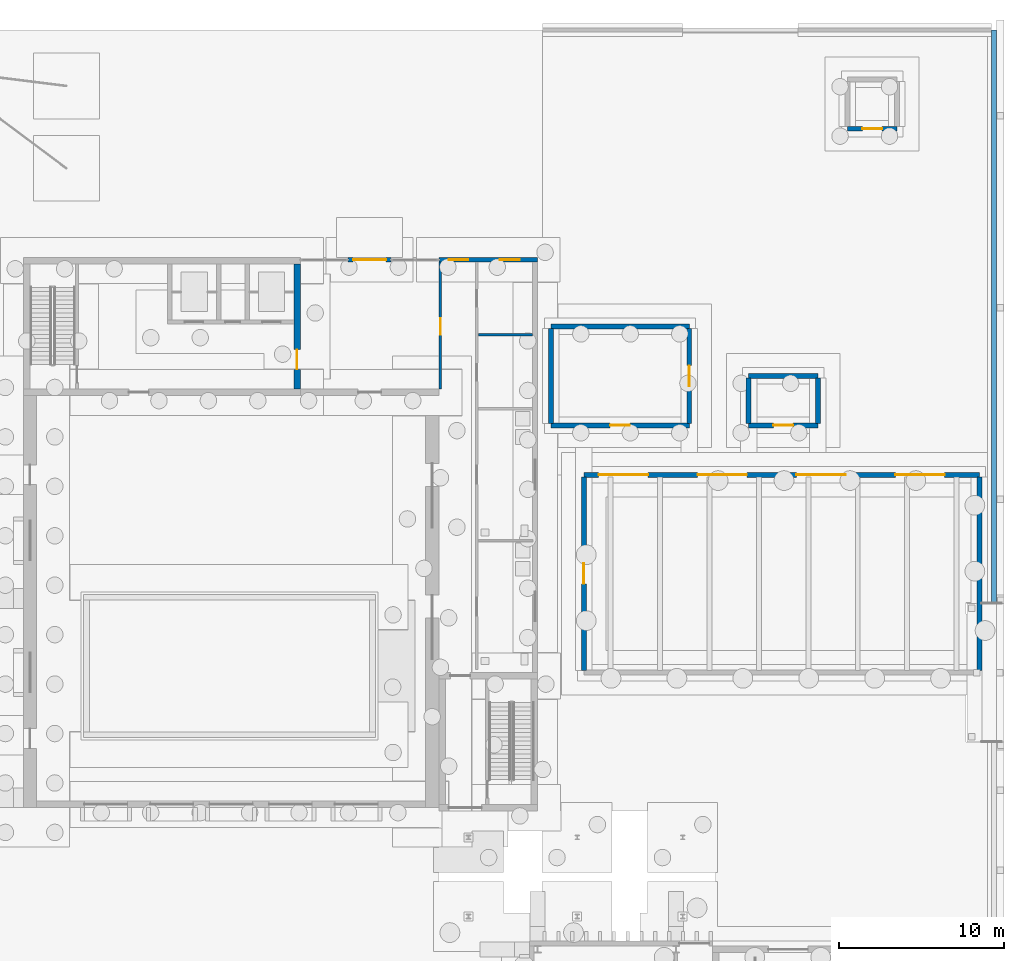
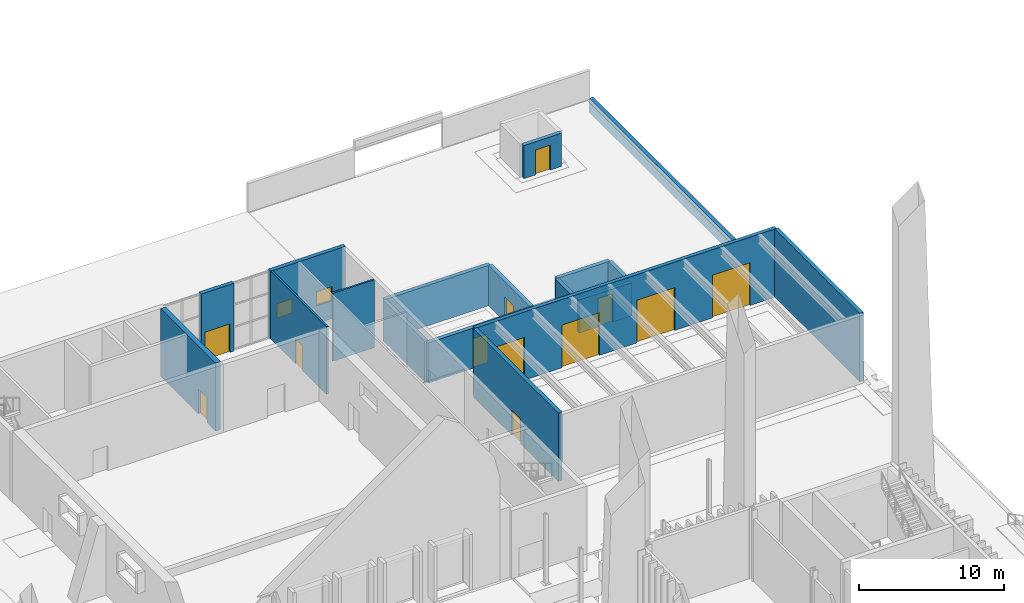
# One storey, part 75 of 108: 18 walls, 12 doors, 2 windows, 14 openings.
"""IFC4 building model written with IfcOpenShell, lengths in metres."""

from ifc_helpers import new_model, si_unit, direction, frame, frame_2d, origin, place, context, subcontext, project, spatial, rectangle, extrude, material, layer, layer_set, type_object, element, fill, save


model = new_model("IFC4")

# Units and contexts
model_context = context("Model", 3, precision=1e-05, world=origin(), true_north=direction((0.0, 1.0)))
body_context = subcontext(model_context, "Body", "Model", "MODEL_VIEW")
ifc_project = project(units=[si_unit("LENGTHUNIT", "METRE"), si_unit("AREAUNIT", "SQUARE_METRE"), si_unit("VOLUMEUNIT", "CUBIC_METRE"), si_unit("PLANEANGLEUNIT", "RADIAN"), si_unit("MASSUNIT", "GRAM", prefix="KILO")], contexts=[model_context])

# Site, building, storey
site_placement = place(None, origin())
site = spatial("IfcSite", under=ifc_project, at=site_placement, CompositionType="ELEMENT")
building_placement = place(site_placement, origin())
building = spatial("IfcBuilding", under=site, at=building_placement, Name="Cresset Court Congress Hotel", CompositionType="ELEMENT")
storey_placement = place(building_placement, origin())
storey = spatial("IfcBuildingStorey", under=building, at=storey_placement, Name="L00", CompositionType="ELEMENT", Elevation=0.0)

# Wall, opening, door
ifc_material_1 = material(Name="Gypsum board on steel studs", Category="steel")
ifc_layer_1 = layer(ifc_material_1, 0.14990234375)
ifc_layer_set_1 = layer_set([ifc_layer_1], Name="Fire partition 150")
wall_type_1 = type_object("IfcWallType", Name="Fire partition 150", PredefinedType="PARTITIONING", material=ifc_layer_set_1)
wall_1_placement = place(storey_placement, frame((151.300048828125, 101.199951171875, 0.0), z_axis=(0.0, 0.0, 1.0), x_axis=(0.0, 1.0, 0.0)))
wall_1 = element("IfcWall", 1, at=wall_1_placement, inside=storey, type_object=wall_type_1, Name="Lounge east wall", PredefinedType="PARTITIONING", context=body_context, shape_type="SweptSolid", body=[
    extrude(rectangle(XDim=7.699951171875, YDim=0.14990234375, at=frame_2d((3.85009765625, 0.0))), origin(), (0.0, 0.0, 1.0), 5.719970703125),
])
opening_1_placement = place(wall_1_placement, frame((3.300048828125, 0.0, 0.0)))
opening_1 = element("IfcOpeningElement", 2, at=opening_1_placement, cuts=wall_1, Name="Opening DE-00-13", PredefinedType="OPENING", context=body_context, shape_type="SweptSolid", body=[
    extrude(rectangle(XDim=1.0, YDim=2.10009765625, at=frame_2d((0.5, 1.050048828125))), frame((0.0, 0.0849609375, 0.0), z_axis=(0.0, -1.0, 0.0), x_axis=(1.0, 0.0, 0.0)), (0.0, 0.0, 1.0), 0.169921875),
])
ifc_material_2 = material(Name="Timber door leaf", Category="wood")
door_type_1 = type_object("IfcDoorType", Name="Room door 1000x2100", OperationType="SINGLE_SWING_LEFT", PredefinedType="DOOR", material=ifc_material_2)
door_1_placement = place(opening_1_placement, origin())
door_1 = element("IfcDoor", 3, at=door_1_placement, inside=storey, type_object=door_type_1, Name="Room door DE-00-13", OperationType="SINGLE_SWING_LEFT", OverallHeight=2.10009765625, OverallWidth=1.0, PredefinedType="DOOR", context=body_context, shape_type="SweptSolid", body=[
    extrude(rectangle(XDim=1.0, YDim=2.10009765625, at=frame_2d((0.5, 1.050048828125))), frame((0.0, 0.02490234375, 0.0), z_axis=(0.0, -1.0, 0.0), x_axis=(1.0, 0.0, 0.0)), (0.0, 0.0, 1.0), 0.050048828125),
])
fill(opening_1, door_1)

# Wall
ifc_material_3 = material(Name="Concrete C35", Category="concrete")
ifc_layer_2 = layer(ifc_material_3, 0.300048828125)
ifc_layer_set_2 = layer_set([ifc_layer_2], Name="Plinth wall 300")
wall_type_2 = type_object("IfcWallType", Name="Plinth wall 300", PredefinedType="SOLIDWALL", material=ifc_layer_set_2)
wall_2_placement = place(storey_placement, frame((184.89990234375, 88.199951171875, -1.199951171875), z_axis=(0.0, 0.0, 1.0), x_axis=(0.0, 1.0, 0.0)))
element("IfcWall", 4, at=wall_2_placement, inside=storey, type_object=wall_type_2, Name="S.wall.L00.PE06", PredefinedType="SOLIDWALL", context=body_context, shape_type="SweptSolid", body=[
    extrude(rectangle(XDim=34.800048828125, YDim=0.300048828125, at=frame_2d((17.39990234375, 0.0))), origin(), (0.0, 0.0, 1.0), 1.199951171875),
])

# Wall, opening, door
ifc_material_4 = material(Name="Concrete C50", Category="concrete")
ifc_layer_3 = layer(ifc_material_4, 0.39990234375)
ifc_layer_set_3 = layer_set([ifc_layer_3], Name="RC core wall 400 C50")
wall_type_3 = type_object("IfcWallType", Name="RC core wall 400 C50", PredefinedType="SOLIDWALL", material=ifc_layer_set_3)
wall_3_placement = place(storey_placement, frame((142.60009765625, 101.199951171875, 0.0), z_axis=(0.0, 0.0, 1.0), x_axis=(0.0, 1.0, 0.0)))
wall_3 = element("IfcWall", 5, at=wall_3_placement, inside=storey, type_object=wall_type_3, Name="Core east wall", PredefinedType="SOLIDWALL", context=body_context, shape_type="SweptSolid", body=[
    extrude(rectangle(XDim=7.60009765625, YDim=0.39990234375, at=frame_2d((3.800048828125, 0.0))), origin(), (0.0, 0.0, 1.0), 5.719970703125),
])
opening_2_placement = place(wall_3_placement, frame((1.199951171875, 0.0, 0.0)))
opening_2 = element("IfcOpeningElement", 6, at=opening_2_placement, cuts=wall_3, Name="Opening DE-00-11", PredefinedType="OPENING", context=body_context, shape_type="SweptSolid", body=[
    extrude(rectangle(XDim=1.199951171875, YDim=2.10009765625, at=frame_2d((0.60009765625, 1.050048828125))), frame((0.0, 0.2099609375, 0.0), z_axis=(0.0, -1.0, 0.0), x_axis=(1.0, 0.0, 0.0)), (0.0, 0.0, 1.0), 0.419921875),
])
ifc_material_5 = material(Name="Timber door leaf", Category="wood")
door_type_2 = type_object("IfcDoorType", Name="Lift lobby door 1200x2100", OperationType="SINGLE_SWING_LEFT", PredefinedType="DOOR", material=ifc_material_5)
door_2_placement = place(opening_2_placement, origin())
door_2 = element("IfcDoor", 7, at=door_2_placement, inside=storey, type_object=door_type_2, Name="Lift lobby door DE-00-11", OperationType="SINGLE_SWING_LEFT", OverallHeight=2.10009765625, OverallWidth=1.199951171875, PredefinedType="DOOR", context=body_context, shape_type="SweptSolid", body=[
    extrude(rectangle(XDim=1.199951171875, YDim=2.10009765625, at=frame_2d((0.60009765625, 1.050048828125))), frame((0.0, 0.02490234375, 0.0), z_axis=(0.0, -1.0, 0.0), x_axis=(1.0, 0.0, 0.0)), (0.0, 0.0, 1.0), 0.050048828125),
])
fill(opening_2, door_2)

ifc_material_6 = material(Name="Concrete C40", Category="concrete")
ifc_layer_4 = layer(ifc_material_6, 0.300048828125)
ifc_layer_set_4 = layer_set([ifc_layer_4], Name="RC external wall 300 C40")
wall_type_4 = type_object("IfcWallType", Name="RC external wall 300 C40", PredefinedType="SOLIDWALL", material=ifc_layer_set_4)
wall_4_placement = place(storey_placement, frame((145.699951171875, 109.050048828125, 0.0), z_axis=(0.0, 0.0, 1.0), x_axis=(1.0, 0.0, 0.0)))
wall_4 = element("IfcWall", 8, at=wall_4_placement, inside=storey, type_object=wall_type_4, Name="Reception entrance wall", PredefinedType="SOLIDWALL", context=body_context, shape_type="SweptSolid", body=[
    extrude(rectangle(XDim=2.60009765625, YDim=0.300048828125, at=frame_2d((1.300048828125, 0.0))), origin(), (0.0, 0.0, 1.0), 5.719970703125),
])
opening_3_placement = place(wall_4_placement, frame((0.300048828125, 0.0, 0.0)))
opening_3 = element("IfcOpeningElement", 9, at=opening_3_placement, cuts=wall_4, Name="Opening DE-00-04", PredefinedType="OPENING", context=body_context, shape_type="SweptSolid", body=[
    extrude(rectangle(XDim=2.0, YDim=2.39990234375, at=frame_2d((1.0, 1.199951171875))), frame((0.0, 0.159912109375, 0.0), z_axis=(0.0, -1.0, 0.0), x_axis=(1.0, 0.0, 0.0)), (0.0, 0.0, 1.0), 0.320068359375),
])
ifc_material_7 = material(Name="Timber door leaf", Category="wood")
door_type_3 = type_object("IfcDoorType", Name="Entrance double door 2000x2400", OperationType="DOUBLE_DOOR_SINGLE_SWING", PredefinedType="DOOR", material=ifc_material_7)
door_3_placement = place(opening_3_placement, origin())
door_3 = element("IfcDoor", 10, at=door_3_placement, inside=storey, type_object=door_type_3, Name="Entrance double door DE-00-04", OperationType="DOUBLE_DOOR_SINGLE_SWING", OverallHeight=2.39990234375, OverallWidth=2.0, PredefinedType="DOOR", context=body_context, shape_type="SweptSolid", body=[
    extrude(rectangle(XDim=2.0, YDim=2.39990234375, at=frame_2d((1.0, 1.199951171875))), frame((0.0, 0.02490234375, 0.0), z_axis=(0.0, -1.0, 0.0), x_axis=(1.0, 0.0, 0.0)), (0.0, 0.0, 1.0), 0.050048828125),
])
fill(opening_3, door_3)

# Wall, openings, windows
wall_5_placement = place(storey_placement, frame((151.199951171875, 109.050048828125, 0.0), z_axis=(0.0, 0.0, 1.0), x_axis=(1.0, 0.0, 0.0)))
wall_5 = element("IfcWall", 11, at=wall_5_placement, inside=storey, type_object=wall_type_4, Name="Reception north wall", PredefinedType="SOLIDWALL", context=body_context, shape_type="SweptSolid", body=[
    extrude(rectangle(XDim=6.0, YDim=0.300048828125, at=frame_2d((3.0, 0.0))), origin(), (0.0, 0.0, 1.0), 5.719970703125),
])
opening_4_placement = place(wall_5_placement, frame((0.60009765625, 0.0, 1.5)))
opening_4 = element("IfcOpeningElement", 12, at=opening_4_placement, cuts=wall_5, Name="Opening NE-00-12", PredefinedType="OPENING", context=body_context, shape_type="SweptSolid", body=[
    extrude(rectangle(XDim=1.199951171875, YDim=1.199951171875, at=frame_2d((0.60009765625, 0.60009765625))), frame((0.0, 0.159912109375, 0.0), z_axis=(0.0, -1.0, 0.0), x_axis=(1.0, 0.0, 0.0)), (0.0, 0.0, 1.0), 0.320068359375),
])
opening_5_placement = place(wall_5_placement, frame((3.699951171875, 0.0, 1.5)))
opening_5 = element("IfcOpeningElement", 13, at=opening_5_placement, cuts=wall_5, Name="Opening NE-00-13", PredefinedType="OPENING", context=body_context, shape_type="SweptSolid", body=[
    extrude(rectangle(XDim=1.199951171875, YDim=1.199951171875, at=frame_2d((0.60009765625, 0.60009765625))), frame((0.0, 0.159912109375, 0.0), z_axis=(0.0, -1.0, 0.0), x_axis=(1.0, 0.0, 0.0)), (0.0, 0.0, 1.0), 0.320068359375),
])
ifc_material_8 = material(Name="Aluminium frame with double glazing", Category="aluminium")
window_type = type_object("IfcWindowType", Name="Window 1200x1200", PartitioningType="SINGLE_PANEL", PredefinedType="WINDOW", material=ifc_material_8)
window_1_placement = place(opening_4_placement, origin())
window_1 = element("IfcWindow", 14, at=window_1_placement, inside=storey, type_object=window_type, Name="Window NE-00-12", OverallHeight=1.199951171875, OverallWidth=1.199951171875, PartitioningType="SINGLE_PANEL", PredefinedType="WINDOW", context=body_context, shape_type="SweptSolid", body=[
    extrude(rectangle(XDim=1.199951171875, YDim=1.199951171875, at=frame_2d((0.60009765625, 0.60009765625))), frame((0.0, 0.030029296875, 0.0), z_axis=(0.0, -1.0, 0.0), x_axis=(1.0, 0.0, 0.0)), (0.0, 0.0, 1.0), 0.06005859375),
])
fill(opening_4, window_1)
window_2_placement = place(opening_5_placement, origin())
window_2 = element("IfcWindow", 15, at=window_2_placement, inside=storey, type_object=window_type, Name="Window NE-00-13", OverallHeight=1.199951171875, OverallWidth=1.199951171875, PartitioningType="SINGLE_PANEL", PredefinedType="WINDOW", context=body_context, shape_type="SweptSolid", body=[
    extrude(rectangle(XDim=1.199951171875, YDim=1.199951171875, at=frame_2d((0.60009765625, 0.60009765625))), frame((0.0, 0.030029296875, 0.0), z_axis=(0.0, -1.0, 0.0), x_axis=(1.0, 0.0, 0.0)), (0.0, 0.0, 1.0), 0.06005859375),
])
fill(opening_5, window_2)

# Wall, openings, doors
ifc_material_9 = material(Name="Concrete C35", Category="concrete")
ifc_layer_5 = layer(ifc_material_9, 0.300048828125)
ifc_layer_set_5 = layer_set([ifc_layer_5], Name="Service building wall 300 Concrete C35")
wall_type_5 = type_object("IfcWallType", Name="Service building wall 300 Concrete C35", PredefinedType="SOLIDWALL", material=ifc_layer_set_5)
wall_6_placement = place(storey_placement, frame((160.0, 96.0, 0.0), z_axis=(0.0, 0.0, 1.0), x_axis=(1.0, 0.0, 0.0)))
wall_6 = element("IfcWall", 16, at=wall_6_placement, inside=storey, type_object=wall_type_5, Name="S.svc.DK.WN", PredefinedType="SOLIDWALL", context=body_context, shape_type="SweptSolid", body=[
    extrude(rectangle(XDim=24.0, YDim=0.300048828125, at=frame_2d((12.0, 0.0))), origin(), (0.0, 0.0, 1.0), 5.75),
])
opening_6_placement = place(wall_6_placement, frame((0.89990234375, 0.0, 0.0)))
opening_6 = element("IfcOpeningElement", 17, at=opening_6_placement, cuts=wall_6, Name="Opening DS-L00-01", PredefinedType="OPENING", context=body_context, shape_type="SweptSolid", body=[
    extrude(rectangle(XDim=3.0, YDim=3.60009765625, at=frame_2d((1.5, 1.800048828125))), frame((0.0, 0.159912109375, 0.0), z_axis=(0.0, -1.0, 0.0), x_axis=(1.0, 0.0, 0.0)), (0.0, 0.0, 1.0), 0.320068359375),
])
opening_7_placement = place(wall_6_placement, frame((6.89990234375, 0.0, 0.0)))
opening_7 = element("IfcOpeningElement", 18, at=opening_7_placement, cuts=wall_6, Name="Opening DS-L00-02", PredefinedType="OPENING", context=body_context, shape_type="SweptSolid", body=[
    extrude(rectangle(XDim=3.0, YDim=3.60009765625, at=frame_2d((1.5, 1.800048828125))), frame((0.0, 0.159912109375, 0.0), z_axis=(0.0, -1.0, 0.0), x_axis=(1.0, 0.0, 0.0)), (0.0, 0.0, 1.0), 0.320068359375),
])
opening_8_placement = place(wall_6_placement, frame((12.89990234375, 0.0, 0.0)))
opening_8 = element("IfcOpeningElement", 19, at=opening_8_placement, cuts=wall_6, Name="Opening DS-L00-03", PredefinedType="OPENING", context=body_context, shape_type="SweptSolid", body=[
    extrude(rectangle(XDim=3.0, YDim=3.60009765625, at=frame_2d((1.5, 1.800048828125))), frame((0.0, 0.159912109375, 0.0), z_axis=(0.0, -1.0, 0.0), x_axis=(1.0, 0.0, 0.0)), (0.0, 0.0, 1.0), 0.320068359375),
])
opening_9_placement = place(wall_6_placement, frame((18.89990234375, 0.0, 0.0)))
opening_9 = element("IfcOpeningElement", 20, at=opening_9_placement, cuts=wall_6, Name="Opening DS-L00-04", PredefinedType="OPENING", context=body_context, shape_type="SweptSolid", body=[
    extrude(rectangle(XDim=3.0, YDim=3.60009765625, at=frame_2d((1.5, 1.800048828125))), frame((0.0, 0.159912109375, 0.0), z_axis=(0.0, -1.0, 0.0), x_axis=(1.0, 0.0, 0.0)), (0.0, 0.0, 1.0), 0.320068359375),
])
ifc_material_10 = material(Name="Galvanised steel", Category="steel")
door_type_4 = type_object("IfcDoorType", Name="Dock door 3000x3600", OperationType="ROLLINGUP", PredefinedType="DOOR", material=ifc_material_10)
door_4_placement = place(opening_6_placement, origin())
door_4 = element("IfcDoor", 21, at=door_4_placement, inside=storey, type_object=door_type_4, Name="Door DS-L00-01", OperationType="ROLLINGUP", OverallHeight=3.60009765625, OverallWidth=3.0, PredefinedType="DOOR", context=body_context, shape_type="SweptSolid", body=[
    extrude(rectangle(XDim=3.0, YDim=3.60009765625, at=frame_2d((1.5, 1.800048828125))), frame((0.0, 0.02490234375, 0.0), z_axis=(0.0, -1.0, 0.0), x_axis=(1.0, 0.0, 0.0)), (0.0, 0.0, 1.0), 0.050048828125),
])
fill(opening_6, door_4)
door_5_placement = place(opening_7_placement, origin())
door_5 = element("IfcDoor", 22, at=door_5_placement, inside=storey, type_object=door_type_4, Name="Door DS-L00-02", OperationType="ROLLINGUP", OverallHeight=3.60009765625, OverallWidth=3.0, PredefinedType="DOOR", context=body_context, shape_type="SweptSolid", body=[
    extrude(rectangle(XDim=3.0, YDim=3.60009765625, at=frame_2d((1.5, 1.800048828125))), frame((0.0, 0.02490234375, 0.0), z_axis=(0.0, -1.0, 0.0), x_axis=(1.0, 0.0, 0.0)), (0.0, 0.0, 1.0), 0.050048828125),
])
fill(opening_7, door_5)
door_6_placement = place(opening_8_placement, origin())
door_6 = element("IfcDoor", 23, at=door_6_placement, inside=storey, type_object=door_type_4, Name="Door DS-L00-03", OperationType="ROLLINGUP", OverallHeight=3.60009765625, OverallWidth=3.0, PredefinedType="DOOR", context=body_context, shape_type="SweptSolid", body=[
    extrude(rectangle(XDim=3.0, YDim=3.60009765625, at=frame_2d((1.5, 1.800048828125))), frame((0.0, 0.02490234375, 0.0), z_axis=(0.0, -1.0, 0.0), x_axis=(1.0, 0.0, 0.0)), (0.0, 0.0, 1.0), 0.050048828125),
])
fill(opening_8, door_6)
door_7_placement = place(opening_9_placement, origin())
door_7 = element("IfcDoor", 24, at=door_7_placement, inside=storey, type_object=door_type_4, Name="Door DS-L00-04", OperationType="ROLLINGUP", OverallHeight=3.60009765625, OverallWidth=3.0, PredefinedType="DOOR", context=body_context, shape_type="SweptSolid", body=[
    extrude(rectangle(XDim=3.0, YDim=3.60009765625, at=frame_2d((1.5, 1.800048828125))), frame((0.0, 0.02490234375, 0.0), z_axis=(0.0, -1.0, 0.0), x_axis=(1.0, 0.0, 0.0)), (0.0, 0.0, 1.0), 0.050048828125),
])
fill(opening_9, door_7)

# Wall, opening, door
wall_7_placement = place(storey_placement, frame((160.0, 84.125, 0.0), z_axis=(0.0, 0.0, 1.0), x_axis=(0.0, 1.0, 0.0)))
wall_7 = element("IfcWall", 25, at=wall_7_placement, inside=storey, type_object=wall_type_5, Name="S.svc.DK.WW", PredefinedType="SOLIDWALL", context=body_context, shape_type="SweptSolid", body=[
    extrude(rectangle(XDim=11.75, YDim=0.300048828125, at=frame_2d((5.875, 0.0))), origin(), (0.0, 0.0, 1.0), 5.75),
])
opening_10_placement = place(wall_7_placement, frame((5.25, 0.0, 0.0)))
opening_10 = element("IfcOpeningElement", 26, at=opening_10_placement, cuts=wall_7, Name="Opening DS-L00-05", PredefinedType="OPENING", context=body_context, shape_type="SweptSolid", body=[
    extrude(rectangle(XDim=1.25, YDim=2.10009765625, at=frame_2d((0.625, 1.050048828125))), frame((0.0, 0.159912109375, 0.0), z_axis=(0.0, -1.0, 0.0), x_axis=(1.0, 0.0, 0.0)), (0.0, 0.0, 1.0), 0.320068359375),
])
ifc_material_11 = material(Name="Galvanised steel", Category="steel")
door_type_5 = type_object("IfcDoorType", Name="Dock personnel door 1250x2100", OperationType="SINGLE_SWING_RIGHT", PredefinedType="DOOR", material=ifc_material_11)
door_8_placement = place(opening_10_placement, origin())
door_8 = element("IfcDoor", 27, at=door_8_placement, inside=storey, type_object=door_type_5, Name="Door DS-L00-05", OperationType="SINGLE_SWING_RIGHT", OverallHeight=2.10009765625, OverallWidth=1.25, PredefinedType="DOOR", context=body_context, shape_type="SweptSolid", body=[
    extrude(rectangle(XDim=1.25, YDim=2.10009765625, at=frame_2d((0.625, 1.050048828125))), frame((0.0, 0.02490234375, 0.0), z_axis=(0.0, -1.0, 0.0), x_axis=(1.0, 0.0, 0.0)), (0.0, 0.0, 1.0), 0.050048828125),
])
fill(opening_10, door_8)

# Wall
wall_8_placement = place(storey_placement, frame((184.0, 84.125, 0.0), z_axis=(0.0, 0.0, 1.0), x_axis=(0.0, 1.0, 0.0)))
element("IfcWall", 28, at=wall_8_placement, inside=storey, type_object=wall_type_5, Name="S.svc.DK.WE", PredefinedType="SOLIDWALL", context=body_context, shape_type="SweptSolid", body=[
    extrude(rectangle(XDim=11.75, YDim=0.300048828125, at=frame_2d((5.875, 0.0))), origin(), (0.0, 0.0, 1.0), 5.75),
])

# Wall, opening, door
wall_9_placement = place(storey_placement, frame((158.0, 99.0, 0.0), z_axis=(0.0, 0.0, 1.0), x_axis=(1.0, 0.0, 0.0)))
wall_9 = element("IfcWall", 29, at=wall_9_placement, inside=storey, type_object=wall_type_5, Name="S.svc.RF.WS", PredefinedType="SOLIDWALL", context=body_context, shape_type="SweptSolid", body=[
    extrude(rectangle(XDim=8.39990234375, YDim=0.300048828125, at=frame_2d((4.199951171875, 0.0))), origin(), (0.0, 0.0, 1.0), 3.39990234375),
])
opening_11_placement = place(wall_9_placement, frame((3.60009765625, 0.0, 0.0)))
opening_11 = element("IfcOpeningElement", 30, at=opening_11_placement, cuts=wall_9, Name="Opening DS-L00-06", PredefinedType="OPENING", context=body_context, shape_type="SweptSolid", body=[
    extrude(rectangle(XDim=1.199951171875, YDim=2.39990234375, at=frame_2d((0.60009765625, 1.199951171875))), frame((0.0, 0.159912109375, 0.0), z_axis=(0.0, -1.0, 0.0), x_axis=(1.0, 0.0, 0.0)), (0.0, 0.0, 1.0), 0.320068359375),
])
ifc_material_12 = material(Name="Galvanised steel", Category="steel")
door_type_6 = type_object("IfcDoorType", Name="Service door 1200x2400", OperationType="SINGLE_SWING_LEFT", PredefinedType="DOOR", material=ifc_material_12)
door_9_placement = place(opening_11_placement, origin())
door_9 = element("IfcDoor", 31, at=door_9_placement, inside=storey, type_object=door_type_6, Name="Door DS-L00-06", OperationType="SINGLE_SWING_LEFT", OverallHeight=2.39990234375, OverallWidth=1.199951171875, PredefinedType="DOOR", context=body_context, shape_type="SweptSolid", body=[
    extrude(rectangle(XDim=1.199951171875, YDim=2.39990234375, at=frame_2d((0.60009765625, 1.199951171875))), frame((0.0, 0.02490234375, 0.0), z_axis=(0.0, -1.0, 0.0), x_axis=(1.0, 0.0, 0.0)), (0.0, 0.0, 1.0), 0.050048828125),
])
fill(opening_11, door_9)

# Walls
wall_10_placement = place(storey_placement, frame((158.0, 105.0, 0.0), z_axis=(0.0, 0.0, 1.0), x_axis=(1.0, 0.0, 0.0)))
element("IfcWall", 32, at=wall_10_placement, inside=storey, type_object=wall_type_5, Name="S.svc.RF.WN", PredefinedType="SOLIDWALL", context=body_context, shape_type="SweptSolid", body=[
    extrude(rectangle(XDim=8.39990234375, YDim=0.300048828125, at=frame_2d((4.199951171875, 0.0))), origin(), (0.0, 0.0, 1.0), 3.39990234375),
])
wall_11_placement = place(storey_placement, frame((158.0, 99.125, 0.0), z_axis=(0.0, 0.0, 1.0), x_axis=(0.0, 1.0, 0.0)))
element("IfcWall", 33, at=wall_11_placement, inside=storey, type_object=wall_type_5, Name="S.svc.RF.WW", PredefinedType="SOLIDWALL", context=body_context, shape_type="SweptSolid", body=[
    extrude(rectangle(XDim=5.75, YDim=0.300048828125, at=frame_2d((2.875, 0.0))), origin(), (0.0, 0.0, 1.0), 3.39990234375),
])

# Wall, opening, door
wall_12_placement = place(storey_placement, frame((166.39990234375, 99.125, 0.0), z_axis=(0.0, 0.0, 1.0), x_axis=(0.0, 1.0, 0.0)))
wall_12 = element("IfcWall", 34, at=wall_12_placement, inside=storey, type_object=wall_type_5, Name="S.svc.RF.WE", PredefinedType="SOLIDWALL", context=body_context, shape_type="SweptSolid", body=[
    extrude(rectangle(XDim=5.75, YDim=0.300048828125, at=frame_2d((2.875, 0.0))), origin(), (0.0, 0.0, 1.0), 3.39990234375),
])
opening_12_placement = place(wall_12_placement, frame((2.25, 0.0, 0.0)))
opening_12 = element("IfcOpeningElement", 35, at=opening_12_placement, cuts=wall_12, Name="Opening DS-L00-07", PredefinedType="OPENING", context=body_context, shape_type="SweptSolid", body=[
    extrude(rectangle(XDim=1.25, YDim=2.10009765625, at=frame_2d((0.625, 1.050048828125))), frame((0.0, 0.159912109375, 0.0), z_axis=(0.0, -1.0, 0.0), x_axis=(1.0, 0.0, 0.0)), (0.0, 0.0, 1.0), 0.320068359375),
])
door_10_placement = place(opening_12_placement, origin())
door_10 = element("IfcDoor", 36, at=door_10_placement, inside=storey, type_object=door_type_5, Name="Door DS-L00-07", OperationType="SINGLE_SWING_RIGHT", OverallHeight=2.10009765625, OverallWidth=1.25, PredefinedType="DOOR", context=body_context, shape_type="SweptSolid", body=[
    extrude(rectangle(XDim=1.25, YDim=2.10009765625, at=frame_2d((0.625, 1.050048828125))), frame((0.0, 0.02490234375, 0.0), z_axis=(0.0, -1.0, 0.0), x_axis=(1.0, 0.0, 0.0)), (0.0, 0.0, 1.0), 0.050048828125),
])
fill(opening_12, door_10)

wall_13_placement = place(storey_placement, frame((170.0, 99.0, 0.0), z_axis=(0.0, 0.0, 1.0), x_axis=(1.0, 0.0, 0.0)))
wall_13 = element("IfcWall", 37, at=wall_13_placement, inside=storey, type_object=wall_type_5, Name="S.svc.SK.WS", PredefinedType="SOLIDWALL", context=body_context, shape_type="SweptSolid", body=[
    extrude(rectangle(XDim=4.199951171875, YDim=0.300048828125, at=frame_2d((2.10009765625, 0.0))), origin(), (0.0, 0.0, 1.0), 2.800048828125),
])
opening_13_placement = place(wall_13_placement, frame((1.5, 0.0, 0.0)))
opening_13 = element("IfcOpeningElement", 38, at=opening_13_placement, cuts=wall_13, Name="Opening DS-L00-08A", PredefinedType="OPENING", context=body_context, shape_type="SweptSolid", body=[
    extrude(rectangle(XDim=1.199951171875, YDim=2.39990234375, at=frame_2d((0.60009765625, 1.199951171875))), frame((0.0, 0.159912109375, 0.0), z_axis=(0.0, -1.0, 0.0), x_axis=(1.0, 0.0, 0.0)), (0.0, 0.0, 1.0), 0.320068359375),
])
ifc_material_13 = material(Name="Steel", Category="steel")
door_type_7 = type_object("IfcDoorType", Name="Plant room door 1200x2400 external", OperationType="SINGLE_SWING_LEFT", PredefinedType="DOOR", material=ifc_material_13)
door_11_placement = place(opening_13_placement, origin())
door_11 = element("IfcDoor", 39, at=door_11_placement, inside=storey, type_object=door_type_7, Name="Door DS-L00-08", OperationType="SINGLE_SWING_LEFT", OverallHeight=2.39990234375, OverallWidth=1.199951171875, PredefinedType="DOOR", context=body_context, shape_type="SweptSolid", body=[
    extrude(rectangle(XDim=1.199951171875, YDim=2.39990234375, at=frame_2d((0.60009765625, 1.199951171875))), frame((0.0, 0.02490234375, 0.0), z_axis=(0.0, -1.0, 0.0), x_axis=(1.0, 0.0, 0.0)), (0.0, 0.0, 1.0), 0.050048828125),
])
fill(opening_13, door_11)

# Walls
wall_14_placement = place(storey_placement, frame((170.0, 102.0, 0.0), z_axis=(0.0, 0.0, 1.0), x_axis=(1.0, 0.0, 0.0)))
element("IfcWall", 40, at=wall_14_placement, inside=storey, type_object=wall_type_5, Name="S.svc.SK.WN", PredefinedType="SOLIDWALL", context=body_context, shape_type="SweptSolid", body=[
    extrude(rectangle(XDim=4.199951171875, YDim=0.300048828125, at=frame_2d((2.10009765625, 0.0))), origin(), (0.0, 0.0, 1.0), 2.800048828125),
])
for number, where, z_axis, x_axis, name in (
    (41, (170.0, 99.125, 0.0), (0.0, 0.0, 1.0), (0.0, 1.0, 0.0), "S.svc.SK.WW"),
    (42, (174.199951171875, 99.125, 0.0), (0.0, 0.0, 1.0), (0.0, 1.0, 0.0), "S.svc.SK.WE"),
):
    element("IfcWall", number, at=place(storey_placement, frame(where, z_axis=z_axis, x_axis=x_axis)), inside=storey, type_object=wall_type_5, Name=name, PredefinedType="SOLIDWALL", context=body_context, shape_type="SweptSolid", body=[
        extrude(rectangle(XDim=2.75, YDim=0.300048828125, at=frame_2d((1.375, 0.0))), origin(), (0.0, 0.0, 1.0), 2.800048828125),
    ])

# Wall, opening, door
wall_15_placement = place(storey_placement, frame((176.0, 117.0, 0.0), z_axis=(0.0, 0.0, 1.0), x_axis=(1.0, 0.0, 0.0)))
wall_15 = element("IfcWall", 43, at=wall_15_placement, inside=storey, type_object=wall_type_5, Name="S.svc.GH.WS", PredefinedType="SOLIDWALL", context=body_context, shape_type="SweptSolid", body=[
    extrude(rectangle(XDim=3.0, YDim=0.300048828125, at=frame_2d((1.5, 0.0))), origin(), (0.0, 0.0, 1.0), 2.800048828125),
])
opening_14_placement = place(wall_15_placement, frame((0.89990234375, 0.0, 0.0)))
opening_14 = element("IfcOpeningElement", 44, at=opening_14_placement, cuts=wall_15, Name="Opening DS-L00-09", PredefinedType="OPENING", context=body_context, shape_type="SweptSolid", body=[
    extrude(rectangle(XDim=1.199951171875, YDim=2.10009765625, at=frame_2d((0.60009765625, 1.050048828125))), frame((0.0, 0.159912109375, 0.0), z_axis=(0.0, -1.0, 0.0), x_axis=(1.0, 0.0, 0.0)), (0.0, 0.0, 1.0), 0.320068359375),
])
ifc_material_14 = material(Name="Timber", Category="wood")
door_type_8 = type_object("IfcDoorType", Name="Gatehouse door 1200x2100", OperationType="SINGLE_SWING_LEFT", PredefinedType="DOOR", material=ifc_material_14)
door_12_placement = place(opening_14_placement, origin())
door_12 = element("IfcDoor", 45, at=door_12_placement, inside=storey, type_object=door_type_8, Name="Door DS-L00-09", OperationType="SINGLE_SWING_LEFT", OverallHeight=2.10009765625, OverallWidth=1.199951171875, PredefinedType="DOOR", context=body_context, shape_type="SweptSolid", body=[
    extrude(rectangle(XDim=1.199951171875, YDim=2.10009765625, at=frame_2d((0.60009765625, 1.050048828125))), frame((0.0, 0.02490234375, 0.0), z_axis=(0.0, -1.0, 0.0), x_axis=(1.0, 0.0, 0.0)), (0.0, 0.0, 1.0), 0.050048828125),
])
fill(opening_14, door_12)

# Wall
ifc_material_15 = material(Name="Masonry block with ceramic tile", Category="masonry")
ifc_layer_6 = layer(ifc_material_15, 0.14990234375)
ifc_layer_set_6 = layer_set([ifc_layer_6], Name="Tiled wet-room wall 150")
wall_type_6 = type_object("IfcWallType", Name="Tiled wet-room wall 150", PredefinedType="PARTITIONING", material=ifc_layer_set_6)
wall_16_placement = place(storey_placement, frame((153.60009765625, 104.5, 0.0), z_axis=(0.0, 0.0, 1.0), x_axis=(1.0, 0.0, 0.0)))
element("IfcWall", 46, at=wall_16_placement, inside=storey, type_object=wall_type_6, Name="Partition 104.5", PredefinedType="PARTITIONING", context=body_context, shape_type="SweptSolid", body=[
    extrude(rectangle(XDim=3.2998046875, YDim=0.14990234375, at=frame_2d((1.64990234375, 0.0))), origin(), (0.0, 0.0, 1.0), 5.719970703125),
])

save(model, "model.ifc")
